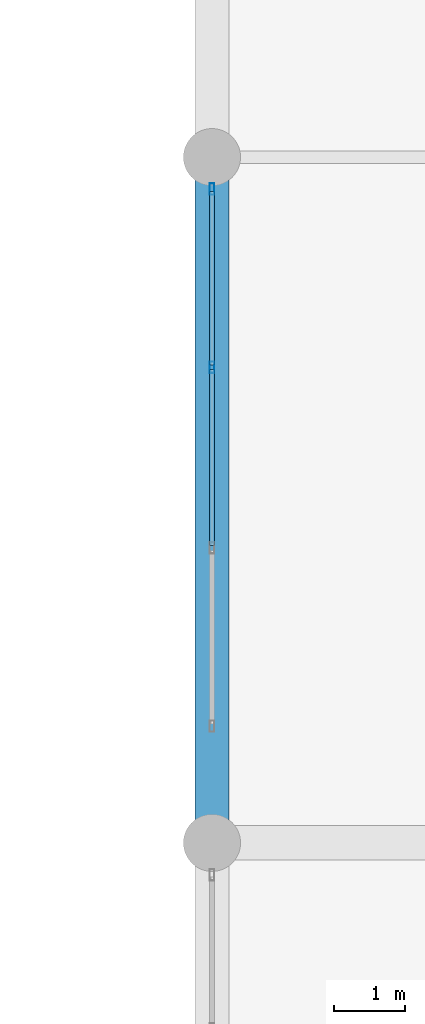
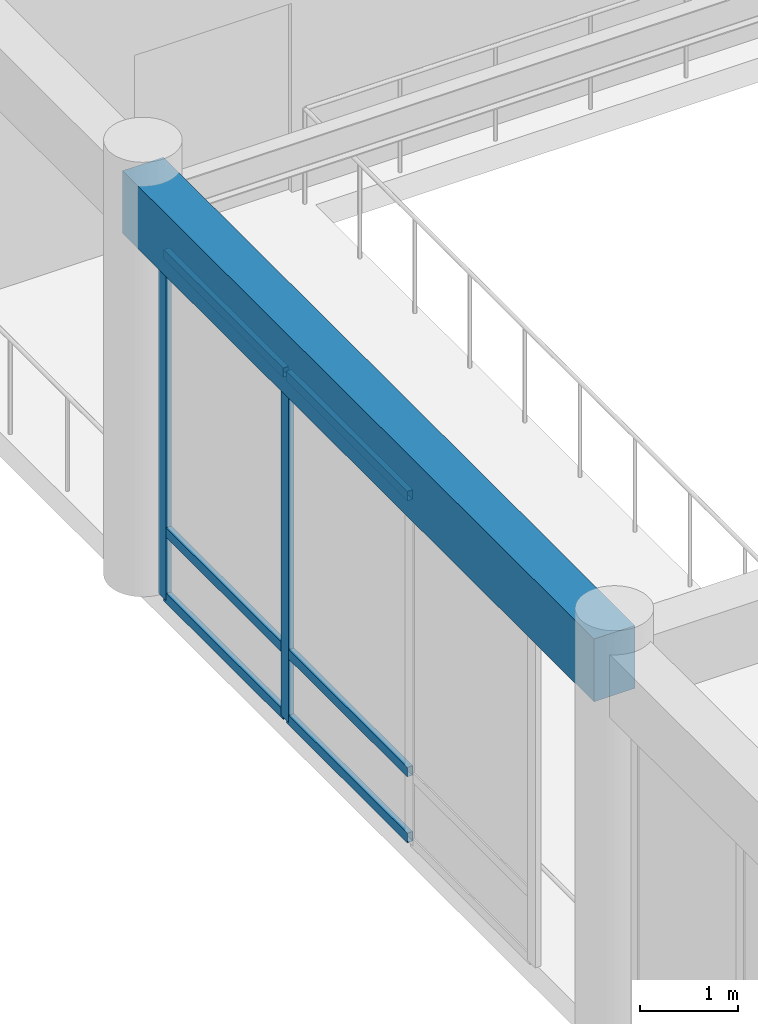
# One storey, part 36 of 134: 8 members, 1 beam, 1 element without a shape of its own.
"""IFC4 building model written with IfcOpenShell, lengths in metres."""

from ifc_helpers import new_model, si_unit, direction, frame, origin, origin_2d, place, context, subcontext, project, spatial, rectangle, hollow_rectangle, extrude, material, layer, layer_set, material_profile, profile_set, type_object, element, aggregate, save


model = new_model("IFC4")

# Units and contexts
model_context = context("Model", 3, precision=1e-05, world=origin(), true_north=direction((0.0, 1.0)))
body_context = subcontext(model_context, "Body", "Model", "MODEL_VIEW")
ifc_project = project(units=[si_unit("LENGTHUNIT", "METRE"), si_unit("AREAUNIT", "SQUARE_METRE"), si_unit("VOLUMEUNIT", "CUBIC_METRE"), si_unit("PLANEANGLEUNIT", "RADIAN"), si_unit("MASSUNIT", "GRAM", prefix="KILO")], contexts=[model_context])

# Site, building, storey
site_placement = place(None, origin())
site = spatial("IfcSite", under=ifc_project, at=site_placement, CompositionType="ELEMENT")
building_placement = place(site_placement, origin())
building = spatial("IfcBuilding", under=site, at=building_placement, Name="Nakhvara Creek Congress Hotel", CompositionType="ELEMENT")
storey_placement = place(building_placement, frame((0.0, 0.0, 6.0)))
storey = spatial("IfcBuildingStorey", under=building, at=storey_placement, Name="L01", CompositionType="ELEMENT", Elevation=6.0)

# Beam
ifc_material_1 = material(Name="Concrete C40/50", Category="concrete")
ifc_material_profile_1 = material_profile(ifc_material_1, rectangle(XDim=0.47998046875, YDim=0.780029296875, at=origin_2d()), Name="RC-BM 480x780", Category="LoadBearing")
ifc_profile_set_1 = profile_set([ifc_material_profile_1], Name="Concrete C40/50")
beam_type = type_object("IfcBeamType", Name="BM-RC-480X780", PredefinedType="BEAM", material=ifc_profile_set_1)
beam_placement = place(storey_placement, frame((124.800048828125, 52.800048828125, 4.7099609375), z_axis=(0.0, 1.0, 0.0), x_axis=(-1.0, 0.0, 0.0)))
element("IfcBeam", 1, at=beam_placement, inside=storey, type_object=beam_type, Name="Beam B13-L01-1228", PredefinedType="BEAM", context=body_context, shape_type="SweptSolid", body=[
    extrude(rectangle(XDim=0.47998046875, YDim=0.780029296875, at=origin_2d()), origin(), (0.0, 0.0, 1.0), 9.599853515625),
])

# Curtain wall, members
ifc_material_2 = material(Name="Bronze-anodised aluminium AW-6063-T6 and double-silver low-E glass", Category="aluminium")
ifc_layer = layer(ifc_material_2, 0.199951171875)
ifc_layer_set = layer_set([ifc_layer], Name="Bronze-anodised aluminium AW-6063-T6 and double-silver low-E glass")
curtain_wall_type = type_object("IfcCurtainWallType", Name="CW-POD-STICK", PredefinedType="NOTDEFINED", material=ifc_layer_set)
curtain_wall_placement = place(storey_placement, origin())
curtain_wall = element("IfcCurtainWall", 2, at=curtain_wall_placement, inside=storey, type_object=curtain_wall_type, Name="Curtain Wall CW030", PredefinedType="NOTDEFINED")
ifc_material_3 = material(Name="Bronze-anodised aluminium AW-6063-T6", Category="aluminium")
ifc_material_profile_2 = material_profile(ifc_material_3, hollow_rectangle(XDim=0.06494140625, YDim=0.159912109375, WallThickness=0.00390625, at=origin_2d()), Name="ALU-MULL 65x160x4", Category="LoadBearing")
ifc_profile_set_2 = profile_set([ifc_material_profile_2], Name="Bronze-anodised aluminium AW-6063-T6")
member_type_1 = type_object("IfcMemberType", Name="CW-MULL-160", PredefinedType="MULLION", material=ifc_profile_set_2)
member_1_placement = place(storey_placement, frame((124.800048828125, 59.456787109375, 0.0), z_axis=(0.0, 0.0, 1.0), x_axis=(-1.0, 0.0, 0.0)))
member_1 = element("IfcMember", 3, at=member_1_placement, type_object=member_type_1, Name="CW030 mullion 3", PredefinedType="MULLION", context=body_context, shape_type="SweptSolid", body=[
    extrude(hollow_rectangle(XDim=0.06494140625, YDim=0.159912109375, WallThickness=0.00390625, at=origin_2d()), origin(), (0.0, 0.0, 1.0), 4.31201171875),
])
member_2_placement = place(storey_placement, frame((124.800048828125, 61.952392578125, 0.0), z_axis=(0.0, 0.0, 1.0), x_axis=(-1.0, 0.0, 0.0)))
member_2 = element("IfcMember", 4, at=member_2_placement, type_object=member_type_1, Name="CW030 mullion 4", PredefinedType="MULLION", context=body_context, shape_type="SweptSolid", body=[
    extrude(hollow_rectangle(XDim=0.06494140625, YDim=0.159912109375, WallThickness=0.00390625, at=origin_2d()), origin(), (0.0, 0.0, 1.0), 4.31201171875),
])
ifc_material_profile_3 = material_profile(ifc_material_3, hollow_rectangle(XDim=0.06494140625, YDim=0.1201171875, WallThickness=0.00390625, at=origin_2d()), Name="ALU-TRAN 65x120x4", Category="LoadBearing")
ifc_profile_set_3 = profile_set([ifc_material_profile_3], Name="Bronze-anodised aluminium AW-6063-T6")
member_type_2 = type_object("IfcMemberType", Name="CW-TRAN-120", PredefinedType="USERDEFINED", material=ifc_profile_set_3)
member_3_placement = place(storey_placement, frame((124.800048828125, 56.9609375, 0.032470703125), z_axis=(0.0, 1.0, 0.0), x_axis=(-1.0, 0.0, 0.0)))
member_3 = element("IfcMember", 5, at=member_3_placement, type_object=member_type_2, Name="CW030 transom 2.1", ObjectType="TRANSOM", PredefinedType="USERDEFINED", context=body_context, shape_type="SweptSolid", body=[
    extrude(hollow_rectangle(XDim=0.06494140625, YDim=0.1201171875, WallThickness=0.00390625, at=origin_2d()), origin(), (0.0, 0.0, 1.0), 2.463134765625),
])
member_4_placement = place(storey_placement, frame((124.800048828125, 56.9609375, 0.85009765625), z_axis=(0.0, 1.0, 0.0), x_axis=(-1.0, 0.0, 0.0)))
member_4 = element("IfcMember", 6, at=member_4_placement, type_object=member_type_2, Name="CW030 transom 2.2", ObjectType="TRANSOM", PredefinedType="USERDEFINED", context=body_context, shape_type="SweptSolid", body=[
    extrude(hollow_rectangle(XDim=0.06494140625, YDim=0.1201171875, WallThickness=0.00390625, at=origin_2d()), origin(), (0.0, 0.0, 1.0), 2.463134765625),
])
member_5_placement = place(storey_placement, frame((124.800048828125, 56.9609375, 4.279541015625), z_axis=(0.0, 1.0, 0.0), x_axis=(-1.0, 0.0, 0.0)))
member_5 = element("IfcMember", 7, at=member_5_placement, type_object=member_type_2, Name="CW030 transom 2.3", ObjectType="TRANSOM", PredefinedType="USERDEFINED", context=body_context, shape_type="SweptSolid", body=[
    extrude(hollow_rectangle(XDim=0.06494140625, YDim=0.1201171875, WallThickness=0.00390625, at=origin_2d()), origin(), (0.0, 0.0, 1.0), 2.463134765625),
])
member_6_placement = place(storey_placement, frame((124.800048828125, 59.4892578125, 0.032470703125), z_axis=(0.0, 1.0, 0.0), x_axis=(-1.0, 0.0, 0.0)))
member_6 = element("IfcMember", 8, at=member_6_placement, type_object=member_type_2, Name="CW030 transom 3.1", ObjectType="TRANSOM", PredefinedType="USERDEFINED", context=body_context, shape_type="SweptSolid", body=[
    extrude(hollow_rectangle(XDim=0.06494140625, YDim=0.1201171875, WallThickness=0.00390625, at=origin_2d()), origin(), (0.0, 0.0, 1.0), 2.4306640625),
])
member_7_placement = place(storey_placement, frame((124.800048828125, 59.4892578125, 0.85009765625), z_axis=(0.0, 1.0, 0.0), x_axis=(-1.0, 0.0, 0.0)))
member_7 = element("IfcMember", 9, at=member_7_placement, type_object=member_type_2, Name="CW030 transom 3.2", ObjectType="TRANSOM", PredefinedType="USERDEFINED", context=body_context, shape_type="SweptSolid", body=[
    extrude(hollow_rectangle(XDim=0.06494140625, YDim=0.1201171875, WallThickness=0.00390625, at=origin_2d()), origin(), (0.0, 0.0, 1.0), 2.4306640625),
])
member_8_placement = place(storey_placement, frame((124.800048828125, 59.4892578125, 4.279541015625), z_axis=(0.0, 1.0, 0.0), x_axis=(-1.0, 0.0, 0.0)))
member_8 = element("IfcMember", 10, at=member_8_placement, type_object=member_type_2, Name="CW030 transom 3.3", ObjectType="TRANSOM", PredefinedType="USERDEFINED", context=body_context, shape_type="SweptSolid", body=[
    extrude(hollow_rectangle(XDim=0.06494140625, YDim=0.1201171875, WallThickness=0.00390625, at=origin_2d()), origin(), (0.0, 0.0, 1.0), 2.4306640625),
])
aggregate(curtain_wall, [member_1, member_2, member_3, member_4, member_5, member_6, member_7, member_8])

save(model, "model.ifc")
